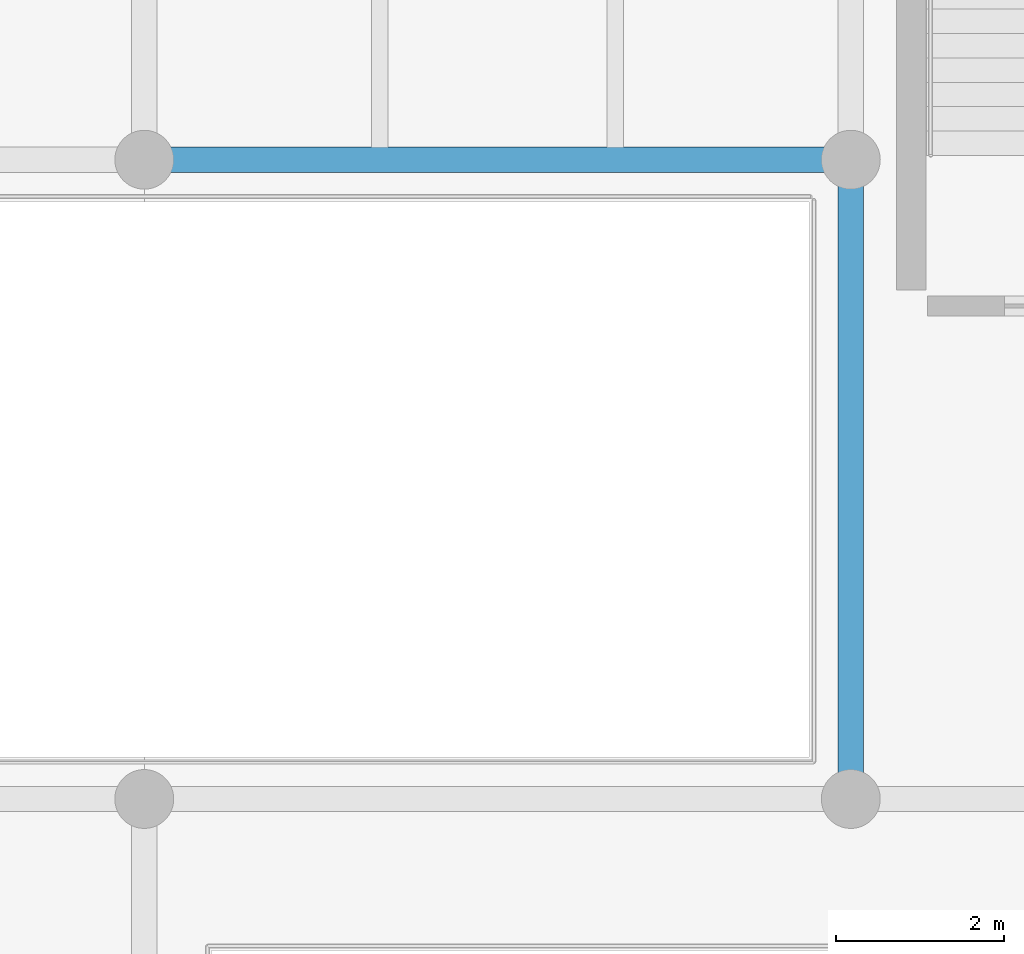
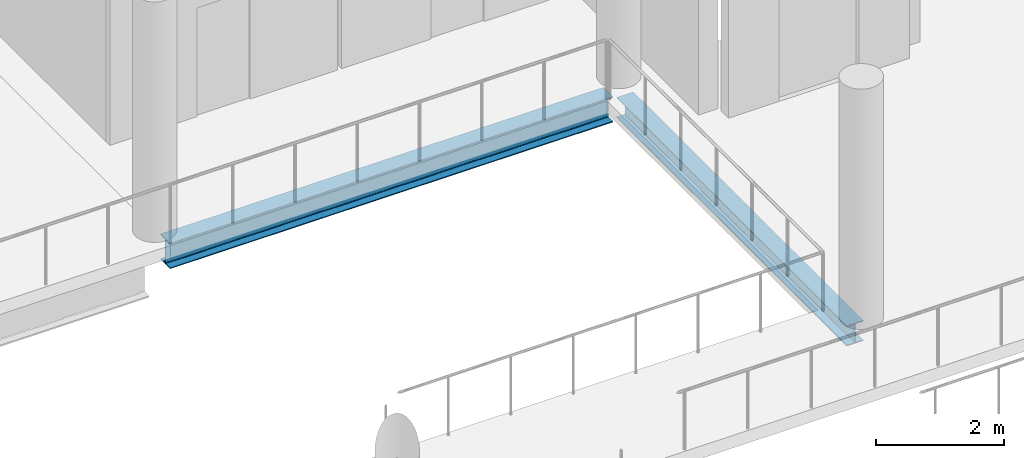
# One storey, part 40 of 136: 2 beams.
"""IFC4 building model written with IfcOpenShell, lengths in metres."""

from ifc_helpers import new_model, si_unit, direction, frame, origin, origin_2d, place, context, subcontext, project, spatial, i_section, extrude, material, material_profile, profile_set, type_object, element, save


model = new_model("IFC4")

# Units and contexts
model_context = context("Model", 3, precision=1e-05, world=origin(), true_north=direction((0.0, 1.0)))
body_context = subcontext(model_context, "Body", "Model", "MODEL_VIEW")
ifc_project = project(units=[si_unit("LENGTHUNIT", "METRE"), si_unit("AREAUNIT", "SQUARE_METRE"), si_unit("VOLUMEUNIT", "CUBIC_METRE"), si_unit("PLANEANGLEUNIT", "RADIAN"), si_unit("MASSUNIT", "GRAM", prefix="KILO")], contexts=[model_context])

# Site, building, storey
site_placement = place(None, origin())
site = spatial("IfcSite", under=ifc_project, at=site_placement, CompositionType="ELEMENT")
building_placement = place(site_placement, origin())
building = spatial("IfcBuilding", under=site, at=building_placement, Name="Shengluoqiao Park Theatre", CompositionType="ELEMENT")
storey_placement = place(building_placement, frame((0.0, 0.0, 10.0)))
storey = spatial("IfcBuildingStorey", under=building, at=storey_placement, Name="L02", CompositionType="ELEMENT", Elevation=10.0)

# Beams
ifc_material = material(Name="Steel Q355", Category="steel")
ifc_material_profile_1 = material_profile(ifc_material, i_section(OverallWidth=0.300048828125, OverallDepth=0.389892578125, WebThickness=0.010009765625, FlangeThickness=0.01611328125, FilletRadius=0.01806640625, at=origin_2d()), Name="HM 390x300x10x16")
ifc_profile_set_1 = profile_set([ifc_material_profile_1], Name="Steel Q355")
beam_type_1 = type_object("IfcBeamType", Name="STR-BM-G-HM390", PredefinedType="BEAM", material=ifc_profile_set_1)
beam_1_placement = place(storey_placement, frame((36.0, 60.993896484375, -0.43505859375), z_axis=(0.0, 1.0, 0.0), x_axis=(-1.0, 0.0, 0.0)))
element("IfcBeam", 1, at=beam_1_placement, inside=storey, type_object=beam_type_1, Name="L02 Transverse Girder 00977", PredefinedType="BEAM", context=body_context, shape_type="SweptSolid", body=[
    extrude(i_section(OverallWidth=0.300048828125, OverallDepth=0.389892578125, WebThickness=0.010009765625, FlangeThickness=0.01611328125, FilletRadius=0.01806640625, at=origin_2d()), origin(), (0.0, 0.0, 1.0), 7.212158203125),
])
ifc_material_profile_2 = material_profile(ifc_material, i_section(OverallWidth=0.300048828125, OverallDepth=0.488037109375, WebThickness=0.010986328125, FlangeThickness=0.01806640625, FilletRadius=0.02197265625, at=origin_2d()), Name="HM 488x300x11x18")
ifc_profile_set_2 = profile_set([ifc_material_profile_2], Name="Steel Q355")
beam_type_2 = type_object("IfcBeamType", Name="STR-BM-G-HM488", PredefinedType="BEAM", material=ifc_profile_set_2)
beam_2_placement = place(storey_placement, frame((27.7939453125, 68.39990234375, -0.48388671875), z_axis=(1.0, 0.0, 0.0), x_axis=(0.0, 1.0, 0.0)))
element("IfcBeam", 2, at=beam_2_placement, inside=storey, type_object=beam_type_2, Name="L02 Primary Girder 00974", PredefinedType="BEAM", context=body_context, shape_type="SweptSolid", body=[
    extrude(i_section(OverallWidth=0.300048828125, OverallDepth=0.488037109375, WebThickness=0.010986328125, FlangeThickness=0.01806640625, FilletRadius=0.02197265625, at=origin_2d()), origin(), (0.0, 0.0, 1.0), 8.011962890625),
])

save(model, "model.ifc")
